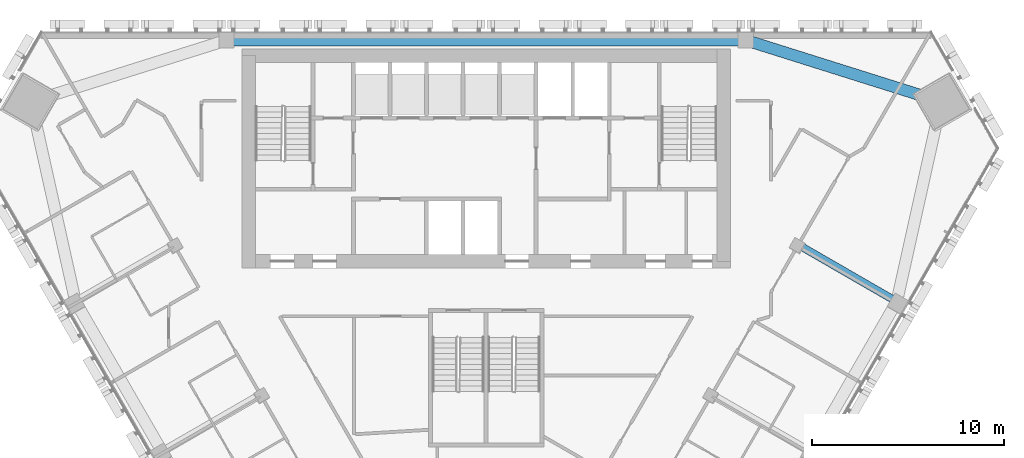
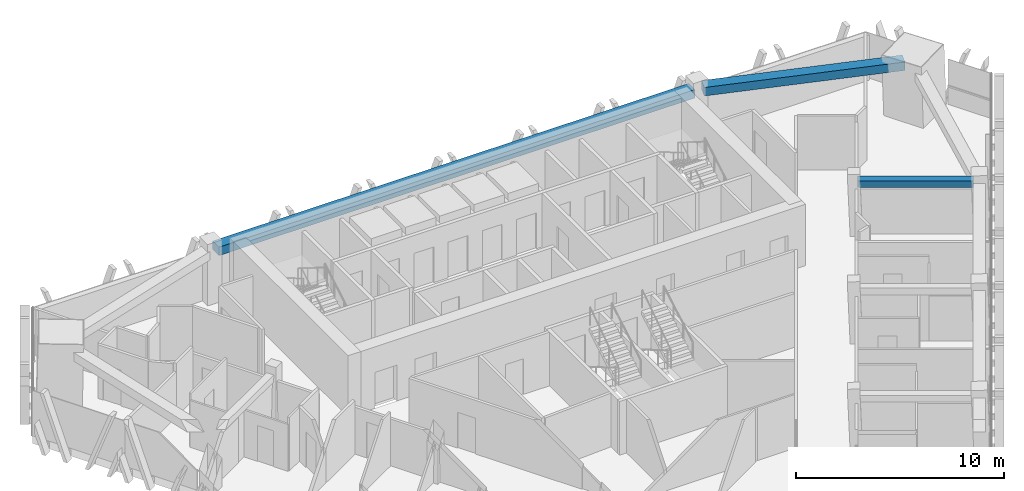
# One storey, part 6 of 16: 3 beams.
"""IFC4 building model written with IfcOpenShell, lengths in metres."""

from ifc_helpers import new_model, si_unit, direction, frame, origin, origin_2d, place, context, subcontext, project, spatial, rectangle, extrude, material, material_profile, profile_set, type_object, element, save


model = new_model("IFC4")

# Units and contexts
model_context = context("Model", 3, precision=1e-05, world=origin(), true_north=direction((0.0, 1.0)))
body_context = subcontext(model_context, "Body", "Model", "MODEL_VIEW")
ifc_project = project(units=[si_unit("LENGTHUNIT", "METRE"), si_unit("AREAUNIT", "SQUARE_METRE"), si_unit("VOLUMEUNIT", "CUBIC_METRE"), si_unit("PLANEANGLEUNIT", "RADIAN"), si_unit("MASSUNIT", "GRAM", prefix="KILO")], contexts=[model_context])

# Site, building, storey
site_placement = place(None, origin())
site = spatial("IfcSite", under=ifc_project, at=site_placement, CompositionType="ELEMENT")
building_placement = place(site_placement, origin())
building = spatial("IfcBuilding", under=site, at=building_placement, Name="Altiplano Prism Tower", CompositionType="ELEMENT")
storey_placement = place(building_placement, frame((0.0, 0.0, 167.39990234375)))
storey = spatial("IfcBuildingStorey", under=building, at=storey_placement, Name="L43", CompositionType="ELEMENT", Elevation=167.39990234375)

# Beams
ifc_material = material(Name="Concrete C60/75", Category="concrete")
ifc_material_profile_1 = material_profile(ifc_material, rectangle(XDim=0.60009765625, YDim=0.5, at=origin_2d()), Name="Edge beam 600x500")
ifc_profile_set_1 = profile_set([ifc_material_profile_1], Name="Concrete C60/75")
beam_type_1 = type_object("IfcBeamType", Name="Edge beam 600x500", PredefinedType="SPANDREL", material=ifc_profile_set_1)
beam_1_placement = place(storey_placement, frame((108.22802734375, 101.488037109375, 2.900146484375), z_axis=(-0.953861808355, 0.300245983424, 0.0), x_axis=(-0.300245983424, -0.953861808355, 0.0)))
element("IfcBeam", 1, at=beam_1_placement, inside=storey, type_object=beam_type_1, Name="Edge beam M2-P01 L44", PredefinedType="SPANDREL", context=body_context, shape_type="SweptSolid", body=[
    extrude(rectangle(XDim=0.60009765625, YDim=0.5, at=origin_2d()), origin(), (0.0, 0.0, 1.0), 9.899169921875),
])
beam_2_placement = place(storey_placement, frame((98.219970703125, 104.550048828125, 2.900146484375), z_axis=(-1.0, 0.0, 0.0), x_axis=(0.0, -1.0, 0.0)))
element("IfcBeam", 2, at=beam_2_placement, inside=storey, type_object=beam_type_1, Name="Edge beam P01-P04 L44", PredefinedType="SPANDREL", context=body_context, shape_type="SweptSolid", body=[
    extrude(rectangle(XDim=0.60009765625, YDim=0.5, at=origin_2d()), origin(), (0.0, 0.0, 1.0), 26.43994140625),
])
ifc_material_profile_2 = material_profile(ifc_material, rectangle(XDim=0.39990234375, YDim=0.39990234375, at=origin_2d()), Name="Tie beam 400x400")
ifc_profile_set_2 = profile_set([ifc_material_profile_2], Name="Concrete C60/75")
beam_type_2 = type_object("IfcBeamType", Name="Tie beam 400x400", PredefinedType="BEAM", material=ifc_profile_set_2)
beam_3_placement = place(storey_placement, frame((101.263671875, 93.89306640625, 2.9501953125), z_axis=(0.866030670444, -0.499990877767, 0.0), x_axis=(0.499990877767, 0.866030670444, 0.0)))
element("IfcBeam", 3, at=beam_3_placement, inside=storey, type_object=beam_type_2, Name="Tie beam I24 L44", PredefinedType="BEAM", context=body_context, shape_type="SweptSolid", body=[
    extrude(rectangle(XDim=0.39990234375, YDim=0.39990234375, at=origin_2d()), origin(), (0.0, 0.0, 1.0), 5.58984375),
])

save(model, "model.ifc")
